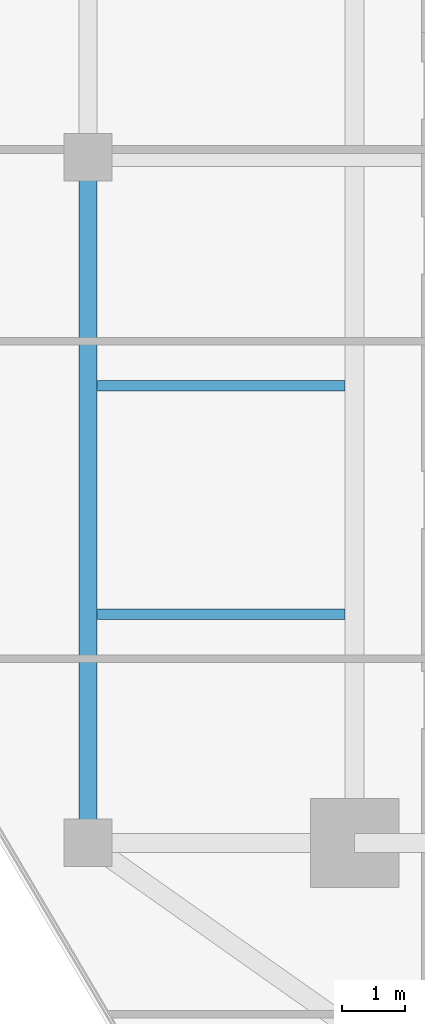
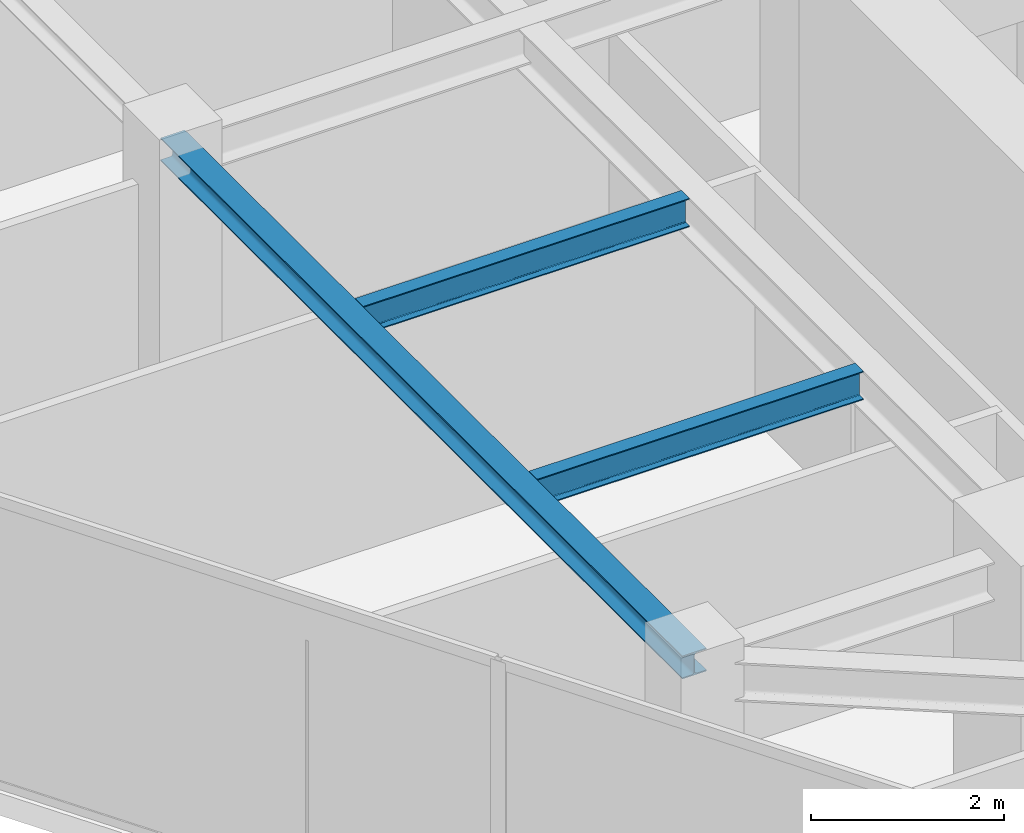
# One storey, part 5 of 20: 3 beams.
"""IFC4 building model written with IfcOpenShell, lengths in metres."""

import ifcopenshell
import ifcopenshell.guid

model = None  # the IFC model being written
_history = None  # IfcOwnerHistory: only IFC2X3 demands one
_inside = {}  # id of a spatial element -> (the spatial element, [elements in it])
_under = {}  # id of a project, library or spatial element -> (it, [spatial elements below it])
_declared = {}  # id of a project -> (the project, [libraries it declares])
_typed = {}  # id of a type object -> (the type object, [elements of that type])
_made_of = {}  # id of a material, layer set ... -> (it, [elements and type objects made of it])


def new_model(schema):
    """Start an empty IFC model of exactly this schema.

    Asked for "IFC4X3", IfcOpenShell would pick the latest addendum, in which some entities
    have other attributes; the version numbers below select the first issue.
    IFC2X3 requires an IfcOwnerHistory on every rooted entity: one is made here for all.
    """
    global model, _history
    if schema == "IFC4X3":
        model = ifcopenshell.file(schema_version=(4, 3, 0, 0))
    else:
        model = ifcopenshell.file(schema=schema)
    _inside.clear()
    _under.clear()
    _declared.clear()
    _typed.clear()
    _made_of.clear()
    _history = None
    if model.schema == "IFC2X3":
        org = make("IfcOrganization", Name="unknown")
        user = make(
            "IfcPersonAndOrganization",
            ThePerson=make("IfcPerson", FamilyName="unknown"),
            TheOrganization=org,
        )
        app = make(
            "IfcApplication",
            ApplicationDeveloper=org,
            Version="unknown",
            ApplicationFullName="unknown",
            ApplicationIdentifier="unknown",
        )
        _history = make(
            "IfcOwnerHistory",
            OwningUser=user,
            OwningApplication=app,
            ChangeAction="ADDED",
            CreationDate=0,
        )
    return model


def make(cls, **values):
    """One entity of the class cls with the attributes given. An attribute that is None is left unset."""
    return model.create_entity(
        cls, **{name: value for name, value in values.items() if value is not None}
    )


def rooted(cls, **values):
    """An entity with a GlobalId (a new one), such as an element, a storey or a relation."""
    return make(cls, GlobalId=ifcopenshell.guid.new(), OwnerHistory=_history, **values)


def si_unit(unit_type, name, prefix=None):
    """IfcSIUnit, for example si_unit("LENGTHUNIT", "METRE", prefix="MILLI")."""
    return make("IfcSIUnit", UnitType=unit_type, Prefix=prefix, Name=name)


def assignment(units):
    """IfcUnitAssignment: the units of a project."""
    return None if units is None else make("IfcUnitAssignment", Units=units)


def point(xyz):
    """IfcCartesianPoint."""
    return None if xyz is None else make("IfcCartesianPoint", Coordinates=xyz)


def direction(xyz):
    """IfcDirection."""
    return None if xyz is None else make("IfcDirection", DirectionRatios=xyz)


def frame(location, z_axis=None, x_axis=None):
    """IfcAxis2Placement3D, a coordinate frame: its origin and axes. An axis left out is left unset."""
    return make(
        "IfcAxis2Placement3D",
        Location=point(location),
        Axis=direction(z_axis),
        RefDirection=direction(x_axis),
    )


def frame_2d(location, x_axis=None):
    """IfcAxis2Placement2D, a coordinate frame in the plane: its origin and x axis."""
    return make(
        "IfcAxis2Placement2D", Location=point(location), RefDirection=direction(x_axis)
    )


def origin():
    """The frame at (0, 0, 0) with its axes left unset."""
    return frame((0.0, 0.0, 0.0))


def origin_2d():
    """The frame at (0, 0) in the plane with its x axis left unset."""
    return frame_2d((0.0, 0.0))


def place(relative_to, where):
    """IfcLocalPlacement: puts the frame where relative to a parent placement (None: the world)."""
    return make(
        "IfcLocalPlacement", PlacementRelTo=relative_to, RelativePlacement=where
    )


def context(
    kind, dimensions, precision=None, world=None, true_north=None, identifier=None
):
    """IfcGeometricRepresentationContext, for example the 3D "Model" context."""
    return make(
        "IfcGeometricRepresentationContext",
        ContextIdentifier=identifier,
        ContextType=kind,
        CoordinateSpaceDimension=dimensions,
        Precision=precision,
        WorldCoordinateSystem=world,
        TrueNorth=true_north,
    )


def subcontext(parent, identifier, kind, view, scale=None):
    """IfcGeometricRepresentationSubContext, for example "Body" below "Model"."""
    return make(
        "IfcGeometricRepresentationSubContext",
        ContextIdentifier=identifier,
        ContextType=kind,
        ParentContext=parent,
        TargetScale=scale,
        TargetView=view,
    )


def project(units=None, contexts=None):
    """IfcProject with its units and contexts."""
    return rooted(
        "IfcProject",
        Name="project",
        RepresentationContexts=contexts,
        UnitsInContext=assignment(units),
    )


def spatial(cls, under=None, at=None, **own):
    """A site, building, storey or space (cls), placed at a placement, below another one or the project."""
    s = rooted(cls, ObjectPlacement=at, **own)
    if under is not None:
        _under.setdefault(under.id(), (under, []))[1].append(s)
    return s


def profile(cls, at=None, kind="AREA", **sizes):
    """A parametric profile (cls). Its sizes go by their IFC names, for example OverallWidth=200.0."""
    return make(cls, ProfileType=kind, Position=at, **sizes)


def i_section(**sizes):
    """IfcIShapeProfileDef."""
    return profile("IfcIShapeProfileDef", **sizes)


def extrude(swept, where, along, depth):
    """IfcExtrudedAreaSolid: the profile swept, set in the frame where, extruded along a direction by depth."""
    return make(
        "IfcExtrudedAreaSolid",
        SweptArea=swept,
        Position=where,
        ExtrudedDirection=direction(along),
        Depth=depth,
    )


def shape(context_of_items, identifier, shape_type, items):
    """IfcShapeRepresentation: the items that make up one representation, for example the "Body"."""
    return make(
        "IfcShapeRepresentation",
        ContextOfItems=context_of_items,
        RepresentationIdentifier=identifier,
        RepresentationType=shape_type,
        Items=items,
    )


def source(mapping_origin, context_of_items, identifier, shape_type, items):
    """IfcRepresentationMap: a shape defined once, which mapped items show again and again."""
    return make(
        "IfcRepresentationMap",
        MappingOrigin=mapping_origin,
        MappedRepresentation=shape(context_of_items, identifier, shape_type, items),
    )


def transform(
    local_origin,
    x_axis=None,
    y_axis=None,
    z_axis=None,
    scale=None,
    scale2=None,
    scale3=None,
    uniform=True,
):
    """IfcCartesianTransformationOperator3D, or its non-uniform kind. x_axis, y_axis, z_axis: its Axis1, 2, 3."""
    if uniform:
        return make(
            "IfcCartesianTransformationOperator3D",
            Axis1=direction(x_axis),
            Axis2=direction(y_axis),
            LocalOrigin=point(local_origin),
            Scale=scale,
            Axis3=direction(z_axis),
        )
    return make(
        "IfcCartesianTransformationOperator3DnonUniform",
        Axis1=direction(x_axis),
        Axis2=direction(y_axis),
        LocalOrigin=point(local_origin),
        Scale=scale,
        Axis3=direction(z_axis),
        Scale2=scale2,
        Scale3=scale3,
    )


def mapped(mapping_source, mapping_target):
    """IfcMappedItem: shows the shape of a source again, moved by a transform."""
    return make(
        "IfcMappedItem", MappingSource=mapping_source, MappingTarget=mapping_target
    )


def material(Name=None, Category=None):
    """IfcMaterial."""
    return make("IfcMaterial", Name=Name, Category=Category)


def material_profile(
    of_material, cross_section, Name=None, Category=None, Priority=None
):
    """IfcMaterialProfile: a cross section and its material."""
    return make(
        "IfcMaterialProfile",
        Name=Name,
        Material=of_material,
        Profile=cross_section,
        Priority=Priority,
        Category=Category,
    )


def profile_set(profiles, Name=None, composite=None):
    """IfcMaterialProfileSet."""
    return make(
        "IfcMaterialProfileSet",
        Name=Name,
        MaterialProfiles=profiles,
        CompositeProfile=composite,
    )


def made_of(thing, what):
    """Note that an element or type object is made of a material, layer set ...; save() writes the relation."""
    if what is not None:
        _made_of.setdefault(what.id(), (what, []))[1].append(thing)
    return thing


def type_object(cls, material=None, **own):
    """A type object (cls), such as IfcWallType, which elements share."""
    return made_of(rooted(cls, **own), material)


def type_shapes(of_type, sources):
    """Give a type object the sources (RepresentationMaps) that its elements show as mapped items."""
    of_type.RepresentationMaps = sources


def element(
    cls,
    number,
    at=None,
    inside=None,
    cuts=None,
    type_object=None,
    material=None,
    context=None,
    identifier="Body",
    shape_type=None,
    held_by="IfcProductDefinitionShape",
    body=None,
    shapes=None,
    **own,
):
    """One element of the class cls, such as IfcWall. Its Tag is "e" and its number.

    at: its placement. inside: the storey or other place that contains it. cuts: it is an
    opening in that element (IfcRelVoidsElement). A single representation is given by context,
    identifier, shape_type and body (its items); several are given by shapes. held_by: the class
    of the entity that holds the representations. save() writes the other relations.
    """
    e = rooted(cls, Tag="e%d" % number, ObjectPlacement=at, **own)
    if body is not None:
        shapes = [shape(context, identifier, shape_type, body)]
    if shapes is not None:
        e.Representation = make(held_by, Representations=shapes)
    if inside is not None:
        _inside.setdefault(inside.id(), (inside, []))[1].append(e)
    if cuts is not None:
        rooted(
            "IfcRelVoidsElement", RelatingBuildingElement=cuts, RelatedOpeningElement=e
        )
    if type_object is not None:
        _typed.setdefault(type_object.id(), (type_object, []))[1].append(e)
    return made_of(e, material)


def aggregate(whole, parts):
    """IfcRelAggregates: a whole, such as a stair, and the parts it consists of."""
    return rooted("IfcRelAggregates", RelatingObject=whole, RelatedObjects=parts)


def save(model, path):
    """Write the relations noted so far, then the file.

    IfcRelAggregates (storeys below a building ...), IfcRelContainedInSpatialStructure (elements
    in a storey), IfcRelDefinesByType, IfcRelAssociatesMaterial and IfcRelDeclares: one each for
    every whole, place, type object, material and project.
    """
    for whole, parts in _under.values():
        aggregate(whole, parts)
    for where, things in _inside.values():
        rooted(
            "IfcRelContainedInSpatialStructure",
            RelatedElements=things,
            RelatingStructure=where,
        )
    for kind, things in _typed.values():
        rooted("IfcRelDefinesByType", RelatedObjects=things, RelatingType=kind)
    for what, things in _made_of.values():
        rooted("IfcRelAssociatesMaterial", RelatedObjects=things, RelatingMaterial=what)
    for by, libraries in _declared.values():
        rooted("IfcRelDeclares", RelatingContext=by, RelatedDefinitions=libraries)
    model.write(path)


model = new_model("IFC4")

# Units and contexts
model_context = context("Model", 3, precision=1e-05, world=origin(), true_north=direction((0.0, 1.0)))
body_context = subcontext(model_context, "Body", "Model", "MODEL_VIEW")
ifc_project = project(units=[si_unit("LENGTHUNIT", "METRE"), si_unit("AREAUNIT", "SQUARE_METRE"), si_unit("VOLUMEUNIT", "CUBIC_METRE"), si_unit("PLANEANGLEUNIT", "RADIAN"), si_unit("MASSUNIT", "GRAM", prefix="KILO")], contexts=[model_context])

# Site, building, storey
site_placement = place(None, origin())
site = spatial("IfcSite", under=ifc_project, at=site_placement, CompositionType="ELEMENT")
building_placement = place(site_placement, origin())
building = spatial("IfcBuilding", under=site, at=building_placement, Name="Krantzveldt Concourse Tower", CompositionType="ELEMENT")
storey_placement = place(building_placement, frame((0.0, 0.0, 299.0)))
storey = spatial("IfcBuildingStorey", under=building, at=storey_placement, Name="L73", CompositionType="ELEMENT", Elevation=299.0)

# Beams
ifc_material = material(Name="Steel S355JR", Category="steel")
ifc_material_profile_1 = material_profile(ifc_material, i_section(OverallWidth=0.2900390625, OverallDepth=0.2900390625, WebThickness=0.008544921875, FlangeThickness=0.013916015625, FilletRadius=0.027099609375, at=origin_2d()), Name="Steel S355JR", Category="steel")
ifc_profile_set_1 = profile_set([ifc_material_profile_1], Name="Steel S355JR - HEA 300")
beam_type_1 = type_object("IfcBeamType", Name="BM-SP-HEA300", PredefinedType="SPANDREL", material=ifc_profile_set_1)
shared_shape_1 = source(origin(), body_context, "Body", "SweptSolid", [
    extrude(i_section(OverallWidth=0.2900390625, OverallDepth=0.2900390625, WebThickness=0.008544921875, FlangeThickness=0.013916015625, FilletRadius=0.027099609375, at=origin_2d()), origin(), (0.0, 0.0, 1.0), 10.800048828125),
])
type_shapes(beam_type_1, [shared_shape_1])
beam_placement = place(storey_placement, frame((21.0, 15.89990234375, 3.52490234375), z_axis=(0.0, 1.0, 0.0), x_axis=(-1.0, 0.0, 0.0)))
element("IfcBeam", 1, at=beam_placement, inside=storey, type_object=beam_type_1, Name="L73 Tower Girder SP-R01", PredefinedType="SPANDREL", context=body_context, shape_type="MappedRepresentation", body=[
    mapped(shared_shape_1, transform((0.0, 0.0, 0.0), x_axis=(1.0, 0.0, 0.0), y_axis=(0.0, 1.0, 0.0), z_axis=(0.0, 0.0, 1.0), scale=1.0)),
])
ifc_material_profile_2 = material_profile(ifc_material, i_section(OverallWidth=0.169921875, OverallDepth=0.360107421875, WebThickness=0.008056640625, FlangeThickness=0.0126953125, FilletRadius=0.01806640625, at=origin_2d()), Name="Steel S355JR", Category="steel")
ifc_profile_set_2 = profile_set([ifc_material_profile_2], Name="Steel S355JR - IPE 360")
beam_type_2 = type_object("IfcBeamType", Name="BM-J-IPE360", PredefinedType="JOIST", material=ifc_profile_set_2)
shared_shape_2 = source(origin(), body_context, "Body", "SweptSolid", [
    extrude(i_section(OverallWidth=0.169921875, OverallDepth=0.360107421875, WebThickness=0.008056640625, FlangeThickness=0.0126953125, FilletRadius=0.01806640625, at=origin_2d()), origin(), (0.0, 0.0, 1.0), 3.900146484375),
])
type_shapes(beam_type_2, [shared_shape_2])
for number, where, z_axis, x_axis, name in (
    (2, (21.14990234375, 19.5, 3.489990234375), (1.0, 0.0, 0.0), (0.0, 1.0, 0.0), "L73 Secondary Floor Joist JW-1"),
    (3, (21.14990234375, 23.10009765625, 3.489990234375), (1.0, 0.0, 0.0), (0.0, 1.0, 0.0), "L73 Secondary Floor Joist JW-2"),
):
    element("IfcBeam", number, at=place(storey_placement, frame(where, z_axis=z_axis, x_axis=x_axis)), inside=storey, type_object=beam_type_2, Name=name, PredefinedType="JOIST", context=body_context, shape_type="MappedRepresentation", body=[
        mapped(shared_shape_2, transform((0.0, 0.0, 0.0), x_axis=(1.0, 0.0, 0.0), y_axis=(0.0, 1.0, 0.0), z_axis=(0.0, 0.0, 1.0), scale=1.0)),
    ])

save(model, "model.ifc")
